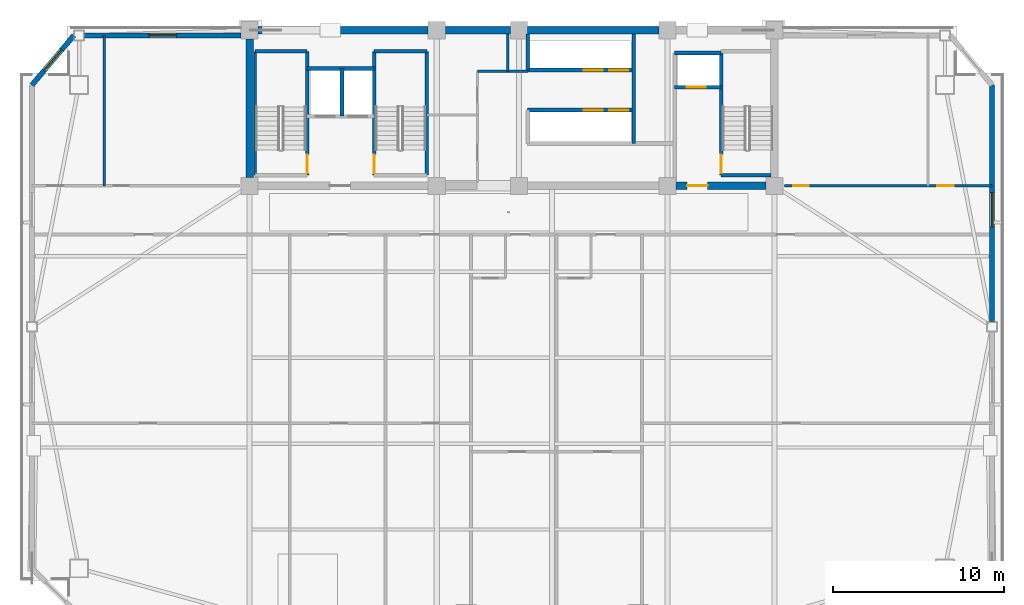
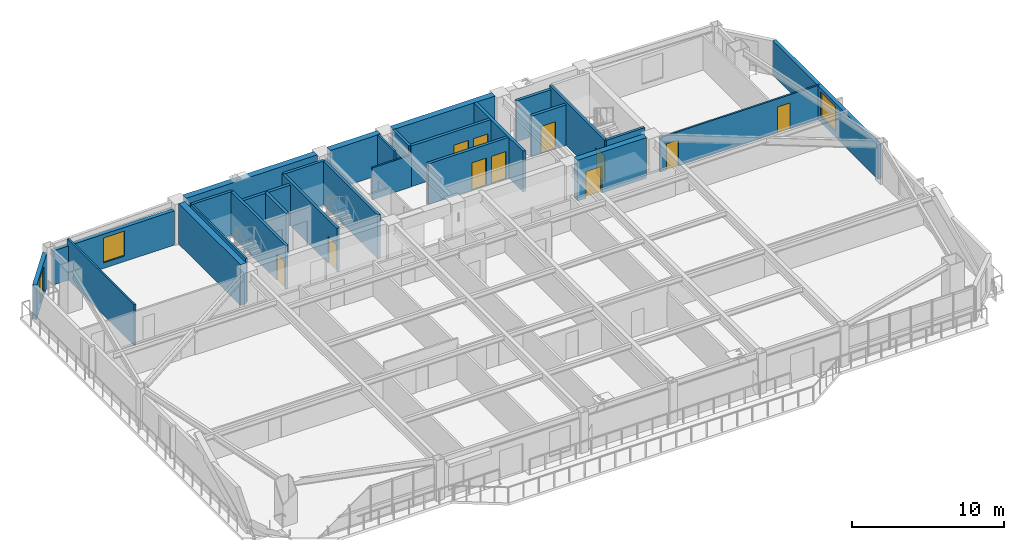
# One storey, part 10 of 17: 28 walls, 11 doors, 3 windows, 14 openings.
"""IFC4 building model written with IfcOpenShell, lengths in metres."""

from ifc_helpers import new_model, si_unit, direction, frame, frame_2d, origin, place, context, subcontext, project, spatial, rectangle, extrude, source, transform, mapped, material, layer, layer_set, type_object, element, fill, save


model = new_model("IFC4")

# Units and contexts
model_context = context("Model", 3, precision=1e-05, world=origin(), true_north=direction((0.0, 1.0)))
body_context = subcontext(model_context, "Body", "Model", "MODEL_VIEW")
ifc_project = project(units=[si_unit("LENGTHUNIT", "METRE"), si_unit("AREAUNIT", "SQUARE_METRE"), si_unit("VOLUMEUNIT", "CUBIC_METRE"), si_unit("PLANEANGLEUNIT", "RADIAN"), si_unit("MASSUNIT", "GRAM", prefix="KILO")], contexts=[model_context])

# Site, building, storey
site_placement = place(None, origin())
site = spatial("IfcSite", under=ifc_project, at=site_placement, CompositionType="ELEMENT")
building_placement = place(site_placement, origin())
building = spatial("IfcBuilding", under=site, at=building_placement, Name="Giltprow Tower", CompositionType="ELEMENT")
storey_placement = place(building_placement, frame((0.0, 0.0, 213.199951171875)))
storey = spatial("IfcBuildingStorey", under=building, at=storey_placement, Name="L54", CompositionType="ELEMENT", Elevation=213.199951171875)

# Wall, opening, window
ifc_material_1 = material(Name="Precast concrete C40", Category="concrete")
ifc_layer_1 = layer(ifc_material_1, 0.300048828125, Name="Precast concrete C40")
ifc_layer_set_1 = layer_set([ifc_layer_1], Name="Precast concrete C40")
wall_type_1 = type_object("IfcWallType", Name="EW-NOTCH-CHAMFER-300", PredefinedType="SOLIDWALL", material=ifc_layer_set_1)
wall_1_placement = place(storey_placement, frame((9.572021484375, 46.25, 0.0), z_axis=(0.0, 0.0, 1.0), x_axis=(-0.645455651603, -0.763797749286, 0.0)))
wall_1 = element("IfcWall", 1, at=wall_1_placement, inside=storey, type_object=wall_type_1, Name="L54 Corner Notch Wall NW", PredefinedType="SOLIDWALL", context=body_context, shape_type="SweptSolid", body=[
    extrude(rectangle(XDim=3.802001953125, YDim=0.300048828125, at=frame_2d((1.90087890625, 0.0))), origin(), (0.0, 0.0, 1.0), 2.75),
])
opening_1_placement = place(wall_1_placement, frame((1.10107421875, 0.0, 0.449951171875)))
opening_1 = element("IfcOpeningElement", 2, at=opening_1_placement, cuts=wall_1, Name="Opening WN17", PredefinedType="OPENING", context=body_context, shape_type="SweptSolid", body=[
    extrude(rectangle(XDim=1.60009765625, YDim=2.0, at=frame_2d((0.800048828125, 1.0))), frame((0.0, 0.159912109375, 0.0), z_axis=(0.0, -1.0, 0.0), x_axis=(1.0, 0.0, 0.0)), (0.0, 0.0, 1.0), 0.320068359375),
])
ifc_material_2 = material(Name="Insulated glass", Category="glass")
window_type_1 = type_object("IfcWindowType", Name="WN-COR-1600x2000", PartitioningType="SINGLE_PANEL", PredefinedType="WINDOW", material=ifc_material_2)
shared_shape_1 = source(origin(), body_context, "Body", "SweptSolid", [
    extrude(rectangle(XDim=1.60009765625, YDim=2.0, at=frame_2d((0.800048828125, 1.0))), frame((0.0, 0.030029296875, 0.0), z_axis=(0.0, -1.0, 0.0), x_axis=(1.0, 0.0, 0.0)), (0.0, 0.0, 1.0), 0.06005859375),
])
window_1_placement = place(opening_1_placement, origin())
window_1 = element("IfcWindow", 3, at=window_1_placement, inside=storey, type_object=window_type_1, Name="L54 Corner Notch Window NW", OverallHeight=2.0, OverallWidth=1.60009765625, PartitioningType="SINGLE_PANEL", PredefinedType="WINDOW", context=body_context, shape_type="MappedRepresentation", body=[
    mapped(shared_shape_1, transform((0.0, 0.0, 0.0), x_axis=(1.0, 0.0, 0.0), y_axis=(0.0, 1.0, 0.0), z_axis=(0.0, 0.0, 1.0), scale=1.0)),
])
fill(opening_1, window_1)

ifc_layer_2 = layer(ifc_material_1, 0.280029296875, Name="Precast concrete C40")
ifc_layer_set_2 = layer_set([ifc_layer_2], Name="Precast concrete C40")
wall_type_2 = type_object("IfcWallType", Name="EW-TOW-BRONZE-280", PredefinedType="SOLIDWALL", material=ifc_layer_set_2)
wall_2_placement = place(storey_placement, frame((63.281982421875, 29.509033203125, 0.0), z_axis=(0.0, 0.0, 1.0), x_axis=(0.0, 1.0, 0.0)))
wall_2 = element("IfcWall", 4, at=wall_2_placement, inside=storey, type_object=wall_type_2, Name="L54 E Wing Masonry Wall 2", PredefinedType="SOLIDWALL", context=body_context, shape_type="SweptSolid", body=[
    extrude(rectangle(XDim=13.8369140625, YDim=0.280029296875, at=frame_2d((6.91845703125, 0.0))), origin(), (0.0, 0.0, 1.0), 2.75),
])
opening_2_placement = place(wall_2_placement, frame((5.535888671875, 0.0, 0.449951171875)))
opening_2 = element("IfcOpeningElement", 5, at=opening_2_placement, cuts=wall_2, Name="Opening WN21", PredefinedType="OPENING", context=body_context, shape_type="SweptSolid", body=[
    extrude(rectangle(XDim=2.0, YDim=2.0, at=frame_2d((1.0, 1.0))), frame((0.0, 0.14990234375, 0.0), z_axis=(0.0, -1.0, 0.0), x_axis=(1.0, 0.0, 0.0)), (0.0, 0.0, 1.0), 0.300048828125),
])
window_type_2 = type_object("IfcWindowType", Name="WN-HTL-2000x2000", PartitioningType="DOUBLE_PANEL_VERTICAL", PredefinedType="WINDOW", material=ifc_material_2)
shared_shape_2 = source(origin(), body_context, "Body", "SweptSolid", [
    extrude(rectangle(XDim=2.0, YDim=2.0, at=frame_2d((1.0, 1.0))), frame((0.0, 0.030029296875, 0.0), z_axis=(0.0, -1.0, 0.0), x_axis=(1.0, 0.0, 0.0)), (0.0, 0.0, 1.0), 0.06005859375),
])
window_2_placement = place(opening_2_placement, origin())
window_2 = element("IfcWindow", 6, at=window_2_placement, inside=storey, type_object=window_type_2, Name="L54 E Wing Window 2-1", OverallHeight=2.0, OverallWidth=2.0, PartitioningType="SINGLE_PANEL", PredefinedType="WINDOW", context=body_context, shape_type="MappedRepresentation", body=[
    mapped(shared_shape_2, transform((0.0, 0.0, 0.0), x_axis=(1.0, 0.0, 0.0), y_axis=(0.0, 1.0, 0.0), z_axis=(0.0, 0.0, 1.0), scale=1.0)),
])
fill(opening_2, window_2)

wall_3_placement = place(storey_placement, frame((10.172119140625, 46.25, 0.0), z_axis=(0.0, 0.0, 1.0), x_axis=(1.0, 0.0, 0.0)))
wall_3 = element("IfcWall", 7, at=wall_3_placement, inside=storey, type_object=wall_type_2, Name="L54 North-West Wing Wall", PredefinedType="SOLIDWALL", context=body_context, shape_type="SweptSolid", body=[
    extrude(rectangle(XDim=9.177978515625, YDim=0.280029296875, at=frame_2d((4.5888671875, 0.0))), origin(), (0.0, 0.0, 1.0), 2.75),
])
opening_3_placement = place(wall_3_placement, frame((3.7890625, 0.0, 0.449951171875)))
opening_3 = element("IfcOpeningElement", 8, at=opening_3_placement, cuts=wall_3, Name="Opening WN17", PredefinedType="OPENING", context=body_context, shape_type="SweptSolid", body=[
    extrude(rectangle(XDim=1.60009765625, YDim=2.0, at=frame_2d((0.800048828125, 1.0))), frame((0.0, 0.14990234375, 0.0), z_axis=(0.0, -1.0, 0.0), x_axis=(1.0, 0.0, 0.0)), (0.0, 0.0, 1.0), 0.300048828125),
])
window_3_placement = place(opening_3_placement, origin())
window_3 = element("IfcWindow", 9, at=window_3_placement, inside=storey, type_object=window_type_1, Name="L54 North-West Window", OverallHeight=2.0, OverallWidth=1.60009765625, PartitioningType="SINGLE_PANEL", PredefinedType="WINDOW", context=body_context, shape_type="MappedRepresentation", body=[
    mapped(shared_shape_1, transform((0.0, 0.0, 0.0), x_axis=(1.0, 0.0, 0.0), y_axis=(0.0, 1.0, 0.0), z_axis=(0.0, 0.0, 1.0), scale=1.0)),
])
fill(opening_3, window_3)

# Walls
ifc_material_3 = material(Name="Concrete C40", Category="concrete")
ifc_layer_3 = layer(ifc_material_3, 0.219970703125, Name="Concrete C40")
ifc_layer_set_3 = layer_set([ifc_layer_3], Name="Concrete C40")
wall_type_3 = type_object("IfcWallType", Name="IW-SHAFT-220", PredefinedType="SOLIDWALL", material=ifc_layer_set_3)
wall_4_placement = place(storey_placement, frame((25.260009765625, 41.52001953125, 0.0), z_axis=(0.0, 0.0, 1.0), x_axis=(0.0, 1.0, 0.0)))
element("IfcWall", 10, at=wall_4_placement, inside=storey, type_object=wall_type_3, Name="L54 FFL1-SVL1 Shaft Divider", PredefinedType="SOLIDWALL", context=body_context, shape_type="SweptSolid", body=[
    extrude(rectangle(XDim=2.800048828125, YDim=0.219970703125, at=frame_2d((1.39990234375, 0.0))), origin(), (0.0, 0.0, 1.0), 3.27001953125),
])
wall_5_placement = place(storey_placement, frame((23.219970703125, 44.320068359375, 0.0), z_axis=(0.0, 0.0, 1.0), x_axis=(1.0, 0.0, 0.0)))
element("IfcWall", 11, at=wall_5_placement, inside=storey, type_object=wall_type_3, Name="L54 FFL1-SVL1 Back Shaft Wall", PredefinedType="SOLIDWALL", context=body_context, shape_type="SweptSolid", body=[
    extrude(rectangle(XDim=3.919921875, YDim=0.219970703125, at=frame_2d((1.9599609375, 0.0))), origin(), (0.0, 0.0, 1.0), 3.27001953125),
])

# Wall, opening, door
wall_6_placement = place(storey_placement, frame((44.719970703125, 43.219970703125, 0.0), z_axis=(0.0, 0.0, 1.0), x_axis=(1.0, 0.0, 0.0)))
wall_6 = element("IfcWall", 12, at=wall_6_placement, inside=storey, type_object=wall_type_3, Name="L54 FFL2 Front Shaft Wall", PredefinedType="SOLIDWALL", context=body_context, shape_type="SweptSolid", body=[
    extrude(rectangle(XDim=2.719970703125, YDim=0.219970703125, at=frame_2d((1.35986328125, 0.0))), origin(), (0.0, 0.0, 1.0), 3.27001953125),
])
opening_4_placement = place(wall_6_placement, frame((0.699951171875, 0.0, 0.0)))
opening_4 = element("IfcOpeningElement", 13, at=opening_4_placement, cuts=wall_6, Name="Opening LD-11", PredefinedType="OPENING", context=body_context, shape_type="SweptSolid", body=[
    extrude(rectangle(XDim=1.10009765625, YDim=2.199951171875, at=frame_2d((0.550048828125, 1.10009765625))), frame((0.0, 0.119873046875, 0.0), z_axis=(0.0, -1.0, 0.0), x_axis=(1.0, 0.0, 0.0)), (0.0, 0.0, 1.0), 0.239990234375),
])
ifc_material_4 = material(Name="Stainless steel", Category="steel")
door_type_1 = type_object("IfcDoorType", Name="DR-LIFT-LD1100", OperationType="SLIDING_TO_LEFT", PredefinedType="DOOR", material=ifc_material_4)
shared_shape_3 = source(origin(), body_context, "Body", "SweptSolid", [
    extrude(rectangle(XDim=1.10009765625, YDim=2.199951171875, at=frame_2d((0.550048828125, 1.10009765625))), frame((0.0, 0.02490234375, 0.0), z_axis=(0.0, -1.0, 0.0), x_axis=(1.0, 0.0, 0.0)), (0.0, 0.0, 1.0), 0.050048828125),
])
door_1_placement = place(opening_4_placement, origin())
door_1 = element("IfcDoor", 14, at=door_1_placement, inside=storey, type_object=door_type_1, Name="L54 FFL2 Landing Door", OperationType="SLIDING_TO_LEFT", OverallHeight=2.199951171875, OverallWidth=1.10009765625, PredefinedType="DOOR", context=body_context, shape_type="MappedRepresentation", body=[
    mapped(shared_shape_3, transform((0.0, 0.0, 0.0), x_axis=(1.0, 0.0, 0.0), y_axis=(0.0, 1.0, 0.0), z_axis=(0.0, 0.0, 1.0), scale=1.0)),
])
fill(opening_4, door_1)

# Wall
wall_7_placement = place(storey_placement, frame((44.719970703125, 45.219970703125, 0.0), z_axis=(0.0, 0.0, 1.0), x_axis=(1.0, 0.0, 0.0)))
element("IfcWall", 15, at=wall_7_placement, inside=storey, type_object=wall_type_3, Name="L54 FFL2 Back Shaft Wall", PredefinedType="SOLIDWALL", context=body_context, shape_type="SweptSolid", body=[
    extrude(rectangle(XDim=2.719970703125, YDim=0.219970703125, at=frame_2d((1.35986328125, 0.0))), origin(), (0.0, 0.0, 1.0), 3.27001953125),
])

# Wall, openings, doors
wall_8_placement = place(storey_placement, frame((36.1201171875, 44.219970703125, 0.0), z_axis=(0.0, 0.0, 1.0), x_axis=(1.0, 0.0, 0.0)))
wall_8 = element("IfcWall", 16, at=wall_8_placement, inside=storey, type_object=wall_type_3, Name="L54 Mid-Rise Lift Shaft Front Wall N", PredefinedType="SOLIDWALL", context=body_context, shape_type="SweptSolid", body=[
    extrude(rectangle(XDim=6.199951171875, YDim=0.219970703125, at=frame_2d((3.10009765625, 0.0))), origin(), (0.0, 0.0, 1.0), 3.27001953125),
])
opening_5_placement = place(wall_8_placement, frame((3.280029296875, 0.0, 0.0)))
opening_5 = element("IfcOpeningElement", 17, at=opening_5_placement, cuts=wall_8, Name="Opening LD-11", PredefinedType="OPENING", context=body_context, shape_type="SweptSolid", body=[
    extrude(rectangle(XDim=1.10009765625, YDim=2.199951171875, at=frame_2d((0.550048828125, 1.10009765625))), frame((0.0, 0.119873046875, 0.0), z_axis=(0.0, -1.0, 0.0), x_axis=(1.0, 0.0, 0.0)), (0.0, 0.0, 1.0), 0.239990234375),
])
opening_6_placement = place(wall_8_placement, frame((4.77001953125, 0.0, 0.0)))
opening_6 = element("IfcOpeningElement", 18, at=opening_6_placement, cuts=wall_8, Name="Opening LD-11", PredefinedType="OPENING", context=body_context, shape_type="SweptSolid", body=[
    extrude(rectangle(XDim=1.10009765625, YDim=2.199951171875, at=frame_2d((0.550048828125, 1.10009765625))), frame((0.0, 0.119873046875, 0.0), z_axis=(0.0, -1.0, 0.0), x_axis=(1.0, 0.0, 0.0)), (0.0, 0.0, 1.0), 0.239990234375),
])
door_2_placement = place(opening_5_placement, origin())
door_2 = element("IfcDoor", 19, at=door_2_placement, inside=storey, type_object=door_type_1, Name="L54 PL-M1 Landing Door", OperationType="SLIDING_TO_LEFT", OverallHeight=2.199951171875, OverallWidth=1.10009765625, PredefinedType="DOOR", context=body_context, shape_type="MappedRepresentation", body=[
    mapped(shared_shape_3, transform((0.0, 0.0, 0.0), x_axis=(1.0, 0.0, 0.0), y_axis=(0.0, 1.0, 0.0), z_axis=(0.0, 0.0, 1.0), scale=1.0)),
])
fill(opening_5, door_2)
door_3_placement = place(opening_6_placement, origin())
door_3 = element("IfcDoor", 20, at=door_3_placement, inside=storey, type_object=door_type_1, Name="L54 PL-M2 Landing Door", OperationType="SLIDING_TO_LEFT", OverallHeight=2.199951171875, OverallWidth=1.10009765625, PredefinedType="DOOR", context=body_context, shape_type="MappedRepresentation", body=[
    mapped(shared_shape_3, transform((0.0, 0.0, 0.0), x_axis=(1.0, 0.0, 0.0), y_axis=(0.0, 1.0, 0.0), z_axis=(0.0, 0.0, 1.0), scale=1.0)),
])
fill(opening_6, door_3)

wall_9_placement = place(storey_placement, frame((36.1201171875, 41.8798828125, 0.0), z_axis=(0.0, 0.0, 1.0), x_axis=(1.0, 0.0, 0.0)))
wall_9 = element("IfcWall", 21, at=wall_9_placement, inside=storey, type_object=wall_type_3, Name="L54 Mid-Rise Lift Shaft Front Wall S", PredefinedType="SOLIDWALL", context=body_context, shape_type="SweptSolid", body=[
    extrude(rectangle(XDim=6.199951171875, YDim=0.219970703125, at=frame_2d((3.10009765625, 0.0))), origin(), (0.0, 0.0, 1.0), 3.27001953125),
])
opening_7_placement = place(wall_9_placement, frame((3.280029296875, 0.0, 0.0)))
opening_7 = element("IfcOpeningElement", 22, at=opening_7_placement, cuts=wall_9, Name="Opening LD-11", PredefinedType="OPENING", context=body_context, shape_type="SweptSolid", body=[
    extrude(rectangle(XDim=1.10009765625, YDim=2.199951171875, at=frame_2d((0.550048828125, 1.10009765625))), frame((0.0, 0.119873046875, 0.0), z_axis=(0.0, -1.0, 0.0), x_axis=(1.0, 0.0, 0.0)), (0.0, 0.0, 1.0), 0.239990234375),
])
opening_8_placement = place(wall_9_placement, frame((4.77001953125, 0.0, 0.0)))
opening_8 = element("IfcOpeningElement", 23, at=opening_8_placement, cuts=wall_9, Name="Opening LD-11", PredefinedType="OPENING", context=body_context, shape_type="SweptSolid", body=[
    extrude(rectangle(XDim=1.10009765625, YDim=2.199951171875, at=frame_2d((0.550048828125, 1.10009765625))), frame((0.0, 0.119873046875, 0.0), z_axis=(0.0, -1.0, 0.0), x_axis=(1.0, 0.0, 0.0)), (0.0, 0.0, 1.0), 0.239990234375),
])
door_4_placement = place(opening_7_placement, origin())
door_4 = element("IfcDoor", 24, at=door_4_placement, inside=storey, type_object=door_type_1, Name="L54 PL-M3 Landing Door", OperationType="SLIDING_TO_LEFT", OverallHeight=2.199951171875, OverallWidth=1.10009765625, PredefinedType="DOOR", context=body_context, shape_type="MappedRepresentation", body=[
    mapped(shared_shape_3, transform((0.0, 0.0, 0.0), x_axis=(1.0, 0.0, 0.0), y_axis=(0.0, 1.0, 0.0), z_axis=(0.0, 0.0, 1.0), scale=1.0)),
])
fill(opening_7, door_4)
door_5_placement = place(opening_8_placement, origin())
door_5 = element("IfcDoor", 25, at=door_5_placement, inside=storey, type_object=door_type_1, Name="L54 PL-M4 Landing Door", OperationType="SLIDING_TO_LEFT", OverallHeight=2.199951171875, OverallWidth=1.10009765625, PredefinedType="DOOR", context=body_context, shape_type="MappedRepresentation", body=[
    mapped(shared_shape_3, transform((0.0, 0.0, 0.0), x_axis=(1.0, 0.0, 0.0), y_axis=(0.0, 1.0, 0.0), z_axis=(0.0, 0.0, 1.0), scale=1.0)),
])
fill(opening_8, door_5)

# Walls
wall_10_placement = place(storey_placement, frame((42.320068359375, 39.919921875, 0.0), z_axis=(0.0, 0.0, 1.0), x_axis=(0.0, 1.0, 0.0)))
element("IfcWall", 26, at=wall_10_placement, inside=storey, type_object=wall_type_3, Name="L54 Mid-Rise Lift Bank East Closure", PredefinedType="SOLIDWALL", context=body_context, shape_type="SweptSolid", body=[
    extrude(rectangle(XDim=6.425048828125, YDim=0.219970703125, at=frame_2d((3.21240234375, 0.0))), origin(), (0.0, 0.0, 1.0), 3.27001953125),
])
wall_11_placement = place(storey_placement, frame((36.1201171875, 44.219970703125, 0.0), z_axis=(0.0, 0.0, 1.0), x_axis=(0.0, 1.0, 0.0)))
element("IfcWall", 27, at=wall_11_placement, inside=storey, type_object=wall_type_3, Name="L54 Mid-Rise North Lift West Closure", PredefinedType="SOLIDWALL", context=body_context, shape_type="SweptSolid", body=[
    extrude(rectangle(XDim=2.125, YDim=0.219970703125, at=frame_2d((1.0625, 0.0))), origin(), (0.0, 0.0, 1.0), 3.27001953125),
])
ifc_material_5 = material(Name="Concrete C45", Category="concrete")
ifc_layer_4 = layer(ifc_material_5, 0.139892578125, Name="Concrete C45")
ifc_layer_set_4 = layer_set([ifc_layer_4], Name="Concrete C45")
wall_type_4 = type_object("IfcWallType", Name="IW-STAIR-140", PredefinedType="SOLIDWALL", material=ifc_layer_set_4)
wall_12_placement = place(storey_placement, frame((20.169921875, 38.070068359375, 0.0), z_axis=(0.0, 0.0, 1.0), x_axis=(0.0, 1.0, 0.0)))
element("IfcWall", 28, at=wall_12_placement, inside=storey, type_object=wall_type_4, Name="L54 Stair ST-1 West Bearing Wall", PredefinedType="SOLIDWALL", context=body_context, shape_type="SweptSolid", body=[
    extrude(rectangle(XDim=7.25, YDim=0.139892578125, at=frame_2d((3.625, 0.0))), origin(), (0.0, 0.0, 1.0), 3.5),
])

# Wall, opening, door
ifc_layer_5 = layer(ifc_material_3, 0.199951171875, Name="Concrete C40")
ifc_layer_set_5 = layer_set([ifc_layer_5], Name="Concrete C40")
wall_type_5 = type_object("IfcWallType", Name="IW-STAIR-200", PredefinedType="SOLIDWALL", material=ifc_layer_set_5)
wall_13_placement = place(storey_placement, frame((23.219970703125, 38.070068359375, 0.0), z_axis=(0.0, 0.0, 1.0), x_axis=(0.0, 1.0, 0.0)))
wall_13 = element("IfcWall", 29, at=wall_13_placement, inside=storey, type_object=wall_type_5, Name="L54 Stair ST-1 East Bearing Wall", PredefinedType="SOLIDWALL", context=body_context, shape_type="SweptSolid", body=[
    extrude(rectangle(XDim=7.25, YDim=0.199951171875, at=frame_2d((3.625, 0.0))), origin(), (0.0, 0.0, 1.0), 3.5),
])
opening_9_placement = place(wall_13_placement, frame((0.110107421875, 0.0, 0.0)))
opening_9 = element("IfcOpeningElement", 30, at=opening_9_placement, cuts=wall_13, Name="Opening ID33", PredefinedType="OPENING", context=body_context, shape_type="SweptSolid", body=[
    extrude(rectangle(XDim=1.10009765625, YDim=2.14990234375, at=frame_2d((0.550048828125, 1.074951171875))), frame((0.0, 0.10986328125, 0.0), z_axis=(0.0, -1.0, 0.0), x_axis=(1.0, 0.0, 0.0)), (0.0, 0.0, 1.0), 0.219970703125),
])
ifc_material_6 = material(Name="Steel fire leaf", Category="steel")
door_type_2 = type_object("IfcDoorType", Name="DR-STAIR-1100", OperationType="SINGLE_SWING_LEFT", PredefinedType="DOOR", material=ifc_material_6)
shared_shape_4 = source(origin(), body_context, "Body", "SweptSolid", [
    extrude(rectangle(XDim=1.10009765625, YDim=2.14990234375, at=frame_2d((0.550048828125, 1.074951171875))), frame((0.0, 0.02490234375, 0.0), z_axis=(0.0, -1.0, 0.0), x_axis=(1.0, 0.0, 0.0)), (0.0, 0.0, 1.0), 0.050048828125),
])
door_6_placement = place(opening_9_placement, origin())
door_6 = element("IfcDoor", 31, at=door_6_placement, inside=storey, type_object=door_type_2, Name="L54 Stair ST-1 Fire Door", OperationType="SINGLE_SWING_LEFT", OverallHeight=2.14990234375, OverallWidth=1.10009765625, PredefinedType="DOOR", context=body_context, shape_type="MappedRepresentation", body=[
    mapped(shared_shape_4, transform((0.0, 0.0, 0.0), x_axis=(1.0, 0.0, 0.0), y_axis=(0.0, 1.0, 0.0), z_axis=(0.0, 0.0, 1.0), scale=1.0)),
])
fill(opening_9, door_6)

# Wall
wall_14_placement = place(storey_placement, frame((20.169921875, 45.320068359375, 0.0), z_axis=(0.0, 0.0, 1.0), x_axis=(1.0, 0.0, 0.0)))
element("IfcWall", 32, at=wall_14_placement, inside=storey, type_object=wall_type_5, Name="L54 Stair ST-1 North Bearing Wall", PredefinedType="SOLIDWALL", context=body_context, shape_type="SweptSolid", body=[
    extrude(rectangle(XDim=3.050048828125, YDim=0.199951171875, at=frame_2d((1.52490234375, 0.0))), origin(), (0.0, 0.0, 1.0), 3.5),
])

# Wall, opening, door
wall_15_placement = place(storey_placement, frame((27.139892578125, 38.070068359375, 0.0), z_axis=(0.0, 0.0, 1.0), x_axis=(0.0, 1.0, 0.0)))
wall_15 = element("IfcWall", 33, at=wall_15_placement, inside=storey, type_object=wall_type_5, Name="L54 Stair ST-2 West Bearing Wall", PredefinedType="SOLIDWALL", context=body_context, shape_type="SweptSolid", body=[
    extrude(rectangle(XDim=7.25, YDim=0.199951171875, at=frame_2d((3.625, 0.0))), origin(), (0.0, 0.0, 1.0), 3.5),
])
opening_10_placement = place(wall_15_placement, frame((0.110107421875, 0.0, 0.0)))
opening_10 = element("IfcOpeningElement", 34, at=opening_10_placement, cuts=wall_15, Name="Opening ID33", PredefinedType="OPENING", context=body_context, shape_type="SweptSolid", body=[
    extrude(rectangle(XDim=1.10009765625, YDim=2.14990234375, at=frame_2d((0.550048828125, 1.074951171875))), frame((0.0, 0.10986328125, 0.0), z_axis=(0.0, -1.0, 0.0), x_axis=(1.0, 0.0, 0.0)), (0.0, 0.0, 1.0), 0.219970703125),
])
door_7_placement = place(opening_10_placement, origin())
door_7 = element("IfcDoor", 35, at=door_7_placement, inside=storey, type_object=door_type_2, Name="L54 Stair ST-2 Fire Door", OperationType="SINGLE_SWING_RIGHT", OverallHeight=2.14990234375, OverallWidth=1.10009765625, PredefinedType="DOOR", context=body_context, shape_type="MappedRepresentation", body=[
    mapped(shared_shape_4, transform((0.0, 0.0, 0.0), x_axis=(1.0, 0.0, 0.0), y_axis=(0.0, 1.0, 0.0), z_axis=(0.0, 0.0, 1.0), scale=1.0)),
])
fill(opening_10, door_7)

# Walls
wall_16_placement = place(storey_placement, frame((30.219970703125, 38.070068359375, 0.0), z_axis=(0.0, 0.0, 1.0), x_axis=(0.0, 1.0, 0.0)))
element("IfcWall", 36, at=wall_16_placement, inside=storey, type_object=wall_type_5, Name="L54 Stair ST-2 East Bearing Wall", PredefinedType="SOLIDWALL", context=body_context, shape_type="SweptSolid", body=[
    extrude(rectangle(XDim=7.25, YDim=0.199951171875, at=frame_2d((3.625, 0.0))), origin(), (0.0, 0.0, 1.0), 3.5),
])
wall_17_placement = place(storey_placement, frame((27.139892578125, 45.320068359375, 0.0), z_axis=(0.0, 0.0, 1.0), x_axis=(1.0, 0.0, 0.0)))
element("IfcWall", 37, at=wall_17_placement, inside=storey, type_object=wall_type_5, Name="L54 Stair ST-2 North Bearing Wall", PredefinedType="SOLIDWALL", context=body_context, shape_type="SweptSolid", body=[
    extrude(rectangle(XDim=3.080078125, YDim=0.199951171875, at=frame_2d((1.5400390625, 0.0))), origin(), (0.0, 0.0, 1.0), 3.5),
])

# Wall, opening, door
wall_18_placement = place(storey_placement, frame((47.43994140625, 38.070068359375, 0.0), z_axis=(0.0, 0.0, 1.0), x_axis=(0.0, 1.0, 0.0)))
wall_18 = element("IfcWall", 38, at=wall_18_placement, inside=storey, type_object=wall_type_5, Name="L54 Stair ST-3 West Bearing Wall", PredefinedType="SOLIDWALL", context=body_context, shape_type="SweptSolid", body=[
    extrude(rectangle(XDim=7.25, YDim=0.199951171875, at=frame_2d((3.625, 0.0))), origin(), (0.0, 0.0, 1.0), 3.5),
])
opening_11_placement = place(wall_18_placement, frame((0.110107421875, 0.0, 0.0)))
opening_11 = element("IfcOpeningElement", 39, at=opening_11_placement, cuts=wall_18, Name="Opening ID33", PredefinedType="OPENING", context=body_context, shape_type="SweptSolid", body=[
    extrude(rectangle(XDim=1.10009765625, YDim=2.14990234375, at=frame_2d((0.550048828125, 1.074951171875))), frame((0.0, 0.10986328125, 0.0), z_axis=(0.0, -1.0, 0.0), x_axis=(1.0, 0.0, 0.0)), (0.0, 0.0, 1.0), 0.219970703125),
])
door_8_placement = place(opening_11_placement, origin())
door_8 = element("IfcDoor", 40, at=door_8_placement, inside=storey, type_object=door_type_2, Name="L54 Stair ST-3 Fire Door", OperationType="SINGLE_SWING_LEFT", OverallHeight=2.14990234375, OverallWidth=1.10009765625, PredefinedType="DOOR", context=body_context, shape_type="MappedRepresentation", body=[
    mapped(shared_shape_4, transform((0.0, 0.0, 0.0), x_axis=(1.0, 0.0, 0.0), y_axis=(0.0, 1.0, 0.0), z_axis=(0.0, 0.0, 1.0), scale=1.0)),
])
fill(opening_11, door_8)

# Walls
wall_19_placement = place(storey_placement, frame((47.43994140625, 38.070068359375, 0.0), z_axis=(0.0, 0.0, 1.0), x_axis=(1.0, 0.0, 0.0)))
element("IfcWall", 41, at=wall_19_placement, inside=storey, type_object=wall_type_5, Name="L54 Stair ST-3 South Bearing Wall", PredefinedType="SOLIDWALL", context=body_context, shape_type="SweptSolid", body=[
    extrude(rectangle(XDim=2.905029296875, YDim=0.199951171875, at=frame_2d((1.45263671875, 0.0))), origin(), (0.0, 0.0, 1.0), 3.5),
])
ifc_material_7 = material(Name="Concrete C30", Category="concrete")
ifc_layer_6 = layer(ifc_material_7, 0.1298828125, Name="Concrete C30")
ifc_layer_set_6 = layer_set([ifc_layer_6], Name="Concrete C30")
wall_type_6 = type_object("IfcWallType", Name="IW-WET-130", PredefinedType="PARTITIONING", material=ifc_layer_set_6)
wall_20_placement = place(storey_placement, frame((34.949951171875, 44.14990234375, 0.0), z_axis=(0.0, 0.0, 1.0), x_axis=(0.0, 1.0, 0.0)))
element("IfcWall", 42, at=wall_20_placement, inside=storey, type_object=wall_type_6, Name="L54 Reclaimed North Pocket East Wall", PredefinedType="PARTITIONING", context=body_context, shape_type="SweptSolid", body=[
    extrude(rectangle(XDim=2.195068359375, YDim=0.1298828125, at=frame_2d((1.09765625, 0.0))), origin(), (0.0, 0.0, 1.0), 3.27001953125),
])
wall_21_placement = place(storey_placement, frame((33.179931640625, 44.14990234375, 0.0), z_axis=(0.0, 0.0, 1.0), x_axis=(1.0, 0.0, 0.0)))
element("IfcWall", 43, at=wall_21_placement, inside=storey, type_object=wall_type_6, Name="L54 Reclaimed North Pocket South Wall", PredefinedType="PARTITIONING", context=body_context, shape_type="SweptSolid", body=[
    extrude(rectangle(XDim=2.969970703125, YDim=0.1298828125, at=frame_2d((1.48486328125, 0.0))), origin(), (0.0, 0.0, 1.0), 2.554931640625),
])
wall_22_placement = place(storey_placement, frame((11.341064453125, 37.449951171875, 0.0), z_axis=(0.0, 0.0, 1.0), x_axis=(0.0, 1.0, 0.0)))
element("IfcWall", 44, at=wall_22_placement, inside=storey, type_object=wall_type_6, Name="L54 NW Wing Divider", PredefinedType="PARTITIONING", context=body_context, shape_type="SweptSolid", body=[
    extrude(rectangle(XDim=8.800048828125, YDim=0.1298828125, at=frame_2d((4.39990234375, 0.0))), origin(), (0.0, 0.0, 1.0), 3.27001953125),
])

# Wall, openings, doors
wall_23_placement = place(storey_placement, frame((51.14990234375, 37.449951171875, 0.0), z_axis=(0.0, 0.0, 1.0), x_axis=(1.0, 0.0, 0.0)))
wall_23 = element("IfcWall", 45, at=wall_23_placement, inside=storey, type_object=wall_type_6, Name="L54 NE Wing South Wall", PredefinedType="PARTITIONING", context=body_context, shape_type="SweptSolid", body=[
    extrude(rectangle(XDim=12.132080078125, YDim=0.1298828125, at=frame_2d((6.06591796875, 0.0))), origin(), (0.0, 0.0, 1.0), 2.755126953125),
])
opening_12_placement = place(wall_23_placement, frame((0.5, 0.0, 0.0)))
opening_12 = element("IfcOpeningElement", 46, at=opening_12_placement, cuts=wall_23, Name="Opening ID15", PredefinedType="OPENING", context=body_context, shape_type="SweptSolid", body=[
    extrude(rectangle(XDim=0.89990234375, YDim=2.10009765625, at=frame_2d((0.449951171875, 1.050048828125))), frame((0.0, 0.074951171875, 0.0), z_axis=(0.0, -1.0, 0.0), x_axis=(1.0, 0.0, 0.0)), (0.0, 0.0, 1.0), 0.14990234375),
])
opening_13_placement = place(wall_23_placement, frame((8.931884765625, 0.0, 0.0)))
opening_13 = element("IfcOpeningElement", 47, at=opening_13_placement, cuts=wall_23, Name="Opening ID11", PredefinedType="OPENING", context=body_context, shape_type="SweptSolid", body=[
    extrude(rectangle(XDim=0.949951171875, YDim=2.10009765625, at=frame_2d((0.47509765625, 1.050048828125))), frame((0.0, 0.074951171875, 0.0), z_axis=(0.0, -1.0, 0.0), x_axis=(1.0, 0.0, 0.0)), (0.0, 0.0, 1.0), 0.14990234375),
])
ifc_material_8 = material(Name="Engineered timber", Category="wood")
door_type_3 = type_object("IfcDoorType", Name="DR-WC-900", OperationType="SINGLE_SWING_LEFT", PredefinedType="DOOR", material=ifc_material_8)
shared_shape_5 = source(origin(), body_context, "Body", "SweptSolid", [
    extrude(rectangle(XDim=0.89990234375, YDim=2.10009765625, at=frame_2d((0.449951171875, 1.050048828125))), frame((0.0, 0.02490234375, 0.0), z_axis=(0.0, -1.0, 0.0), x_axis=(1.0, 0.0, 0.0)), (0.0, 0.0, 1.0), 0.050048828125),
])
door_9_placement = place(opening_12_placement, origin())
door_9 = element("IfcDoor", 48, at=door_9_placement, inside=storey, type_object=door_type_3, Name="L54 East Wing Washroom Door", OperationType="SINGLE_SWING_RIGHT", OverallHeight=2.10009765625, OverallWidth=0.89990234375, PredefinedType="DOOR", context=body_context, shape_type="MappedRepresentation", body=[
    mapped(shared_shape_5, transform((0.0, 0.0, 0.0), x_axis=(1.0, 0.0, 0.0), y_axis=(0.0, 1.0, 0.0), z_axis=(0.0, 0.0, 1.0), scale=1.0)),
])
fill(opening_12, door_9)
door_type_4 = type_object("IfcDoorType", Name="DR-ROOM-950", OperationType="SINGLE_SWING_RIGHT", PredefinedType="DOOR", material=ifc_material_8)
shared_shape_6 = source(origin(), body_context, "Body", "SweptSolid", [
    extrude(rectangle(XDim=0.949951171875, YDim=2.10009765625, at=frame_2d((0.47509765625, 1.050048828125))), frame((0.0, 0.02490234375, 0.0), z_axis=(0.0, -1.0, 0.0), x_axis=(1.0, 0.0, 0.0)), (0.0, 0.0, 1.0), 0.050048828125),
])
door_10_placement = place(opening_13_placement, origin())
door_10 = element("IfcDoor", 49, at=door_10_placement, inside=storey, type_object=door_type_4, Name="L54 Hotel Floor Linen Store Door", OperationType="SINGLE_SWING_LEFT", OverallHeight=2.10009765625, OverallWidth=0.949951171875, PredefinedType="DOOR", context=body_context, shape_type="MappedRepresentation", body=[
    mapped(shared_shape_6, transform((0.0, 0.0, 0.0), x_axis=(1.0, 0.0, 0.0), y_axis=(0.0, 1.0, 0.0), z_axis=(0.0, 0.0, 1.0), scale=1.0)),
])
fill(opening_13, door_10)

# Walls
ifc_material_9 = material(Name="Concrete C50", Category="concrete")
ifc_layer_7 = layer(ifc_material_9, 0.449951171875, Name="Concrete C50")
ifc_layer_set_7 = layer_set([ifc_layer_7], Name="Concrete C50")
wall_type_7 = type_object("IfcWallType", Name="SW-EXT-450-C50", PredefinedType="SHEAR", material=ifc_layer_set_7)
wall_24_placement = place(storey_placement, frame((20.35009765625, 46.550048828125, 0.0), z_axis=(0.0, 0.0, 1.0), x_axis=(1.0, 0.0, 0.0)))
element("IfcWall", 50, at=wall_24_placement, inside=storey, type_object=wall_type_7, Name="L54 North Rear Core Shear Wall 1", PredefinedType="SHEAR", context=body_context, shape_type="SweptSolid", body=[
    extrude(rectangle(XDim=9.949951171875, YDim=0.449951171875, at=frame_2d((4.97509765625, 0.0))), origin(), (0.0, 0.0, 1.0), 3.27001953125),
])
wall_25_placement = place(storey_placement, frame((31.300048828125, 46.550048828125, 0.0), z_axis=(0.0, 0.0, 1.0), x_axis=(1.0, 0.0, 0.0)))
element("IfcWall", 51, at=wall_25_placement, inside=storey, type_object=wall_type_7, Name="L54 North Rear Core Shear Wall 2", PredefinedType="SHEAR", context=body_context, shape_type="SweptSolid", body=[
    extrude(rectangle(XDim=3.800048828125, YDim=0.449951171875, at=frame_2d((1.89990234375, 0.0))), origin(), (0.0, 0.0, 1.0), 3.27001953125),
])
wall_26_placement = place(storey_placement, frame((36.10009765625, 46.550048828125, 0.0), z_axis=(0.0, 0.0, 1.0), x_axis=(1.0, 0.0, 0.0)))
element("IfcWall", 52, at=wall_26_placement, inside=storey, type_object=wall_type_7, Name="L54 North Rear Core Shear Wall 3", PredefinedType="SHEAR", context=body_context, shape_type="SweptSolid", body=[
    extrude(rectangle(XDim=7.699951171875, YDim=0.449951171875, at=frame_2d((3.85009765625, 0.0))), origin(), (0.0, 0.0, 1.0), 3.27001953125),
])

# Wall, opening, door
ifc_layer_8 = layer(ifc_material_9, 0.449951171875, Name="Concrete C50")
ifc_layer_set_8 = layer_set([ifc_layer_8], Name="Concrete C50")
wall_type_8 = type_object("IfcWallType", Name="SW-INT-450-C50", PredefinedType="SHEAR", material=ifc_layer_set_8)
wall_27_placement = place(storey_placement, frame((44.800048828125, 37.449951171875, 0.0), z_axis=(0.0, 0.0, 1.0), x_axis=(1.0, 0.0, 0.0)))
wall_27 = element("IfcWall", 53, at=wall_27_placement, inside=storey, type_object=wall_type_8, Name="L54 South Rear Core Shear Wall East", PredefinedType="SHEAR", context=body_context, shape_type="SweptSolid", body=[
    extrude(rectangle(XDim=5.25, YDim=0.449951171875, at=frame_2d((2.625, 0.0))), origin(), (0.0, 0.0, 1.0), 3.27001953125),
])
opening_14_placement = place(wall_27_placement, frame((0.64990234375, 0.0, 0.0)))
opening_14 = element("IfcOpeningElement", 54, at=opening_14_placement, cuts=wall_27, Name="Opening ID19", PredefinedType="OPENING", context=body_context, shape_type="SweptSolid", body=[
    extrude(rectangle(XDim=1.199951171875, YDim=2.14990234375, at=frame_2d((0.60009765625, 1.074951171875))), frame((0.0, 0.23486328125, 0.0), z_axis=(0.0, -1.0, 0.0), x_axis=(1.0, 0.0, 0.0)), (0.0, 0.0, 1.0), 0.469970703125),
])
door_type_5 = type_object("IfcDoorType", Name="DR-FFLOBBY-1200", OperationType="SINGLE_SWING_RIGHT", PredefinedType="DOOR", material=ifc_material_6)
shared_shape_7 = source(origin(), body_context, "Body", "SweptSolid", [
    extrude(rectangle(XDim=1.199951171875, YDim=2.14990234375, at=frame_2d((0.60009765625, 1.074951171875))), frame((0.0, 0.02490234375, 0.0), z_axis=(0.0, -1.0, 0.0), x_axis=(1.0, 0.0, 0.0)), (0.0, 0.0, 1.0), 0.050048828125),
])
door_11_placement = place(opening_14_placement, origin())
door_11 = element("IfcDoor", 55, at=door_11_placement, inside=storey, type_object=door_type_5, Name="L54 East Firefighting Lobby Entry Door", OperationType="SINGLE_SWING_RIGHT", OverallHeight=2.14990234375, OverallWidth=1.199951171875, PredefinedType="DOOR", context=body_context, shape_type="MappedRepresentation", body=[
    mapped(shared_shape_7, transform((0.0, 0.0, 0.0), x_axis=(1.0, 0.0, 0.0), y_axis=(0.0, 1.0, 0.0), z_axis=(0.0, 0.0, 1.0), scale=1.0)),
])
fill(opening_14, door_11)

# Wall
wall_28_placement = place(storey_placement, frame((19.85009765625, 37.949951171875, 0.0), z_axis=(0.0, 0.0, 1.0), x_axis=(0.0, 1.0, 0.0)))
element("IfcWall", 56, at=wall_28_placement, inside=storey, type_object=wall_type_8, Name="L54 W Rear Core Shear Wall", PredefinedType="SHEAR", context=body_context, shape_type="SweptSolid", body=[
    extrude(rectangle(XDim=8.10009765625, YDim=0.449951171875, at=frame_2d((4.050048828125, 0.0))), origin(), (0.0, 0.0, 1.0), 3.27001953125),
])

save(model, "model.ifc")
